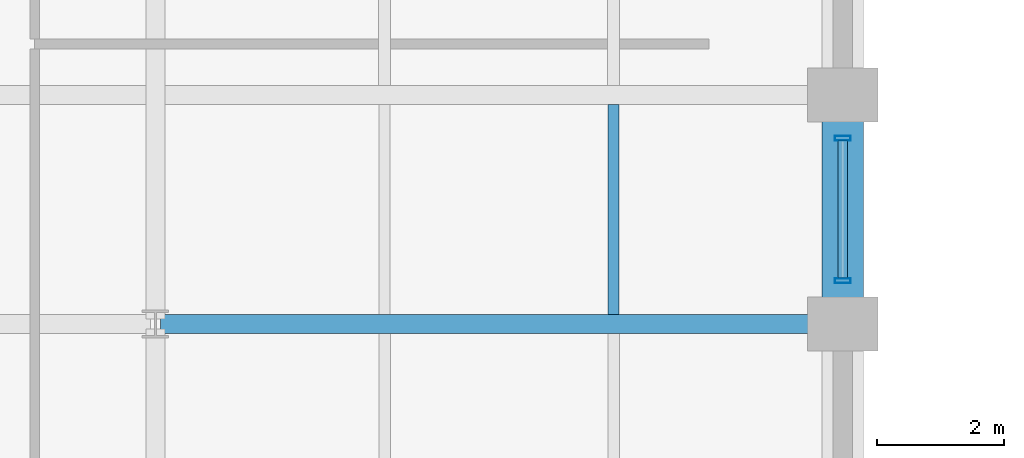
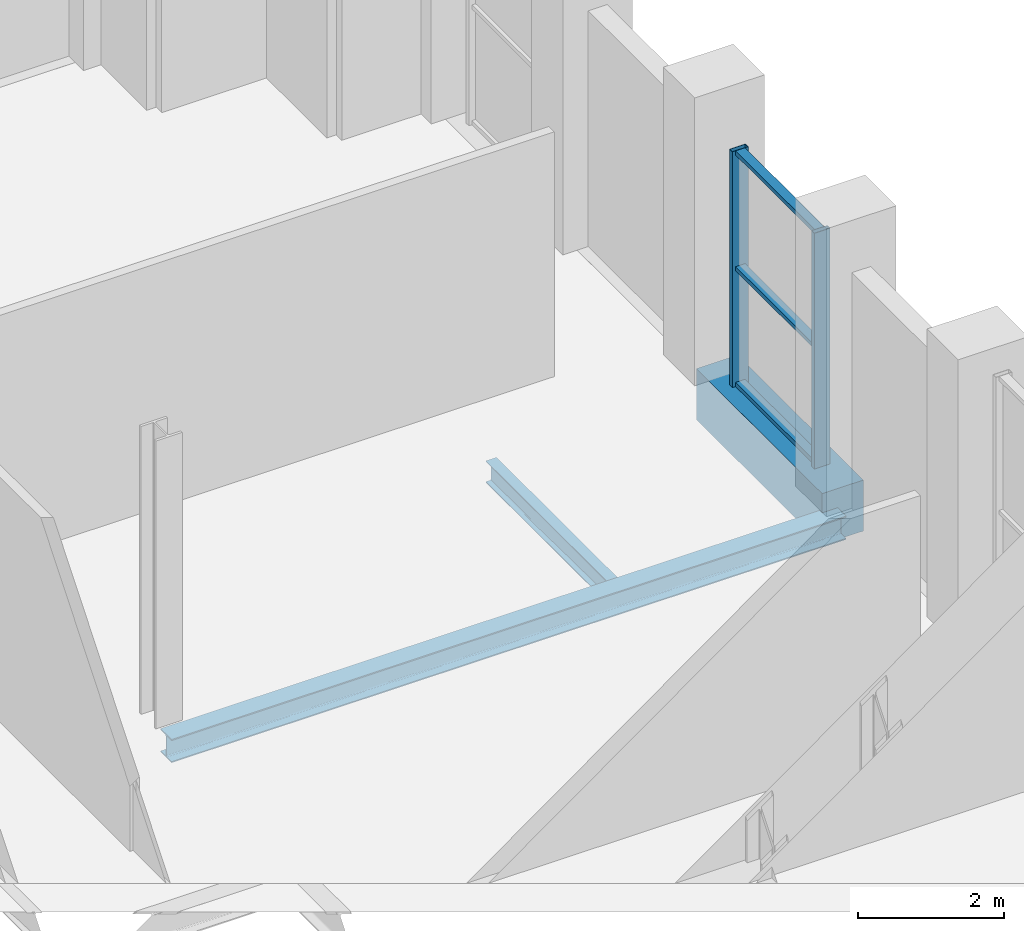
# One storey, part 8 of 22: 5 members, 3 beams, 1 element without a shape of its own.
"""IFC4 building model written with IfcOpenShell, lengths in metres."""

from ifc_helpers import new_model, si_unit, direction, frame, origin, origin_2d, place, context, subcontext, project, spatial, rectangle, hollow_rectangle, i_section, extrude, material, layer, layer_set, material_profile, profile_set, type_object, element, aggregate, save


model = new_model("IFC4")

# Units and contexts
model_context = context("Model", 3, precision=1e-05, world=origin(), true_north=direction((0.0, 1.0)))
body_context = subcontext(model_context, "Body", "Model", "MODEL_VIEW")
ifc_project = project(units=[si_unit("LENGTHUNIT", "METRE"), si_unit("AREAUNIT", "SQUARE_METRE"), si_unit("VOLUMEUNIT", "CUBIC_METRE"), si_unit("PLANEANGLEUNIT", "RADIAN"), si_unit("MASSUNIT", "GRAM", prefix="KILO")], contexts=[model_context])

# Site, building, storey
site_placement = place(None, origin())
site = spatial("IfcSite", under=ifc_project, at=site_placement, CompositionType="ELEMENT")
building_placement = place(site_placement, origin())
building = spatial("IfcBuilding", under=site, at=building_placement, Name="Solnavia Interchange Tower", CompositionType="ELEMENT")
storey_placement = place(building_placement, frame((0.0, 0.0, 115.199951171875)))
storey = spatial("IfcBuildingStorey", under=building, at=storey_placement, Name="L28", CompositionType="ELEMENT", Elevation=115.199951171875)

# Beams
ifc_material_1 = material(Name="Steel S355", Category="steel")
ifc_material_profile_1 = material_profile(ifc_material_1, i_section(OverallWidth=0.169921875, OverallDepth=0.360107421875, WebThickness=0.008056640625, FlangeThickness=0.0126953125, FilletRadius=0.01806640625, at=origin_2d()), Name="IPE 360")
ifc_profile_set_1 = profile_set([ifc_material_profile_1], Name="Steel S355")
beam_type_1 = type_object("IfcBeamType", Name="Beam-Joist-IPE360", PredefinedType="JOIST", material=ifc_profile_set_1)
beam_1_placement = place(storey_placement, frame((25.199951171875, 32.550048828125, -0.5), z_axis=(0.0, 1.0, 0.0), x_axis=(-1.0, 0.0, 0.0)))
element("IfcBeam", 1, at=beam_1_placement, inside=storey, type_object=beam_type_1, Name="JST-L28-N27 North wing secondary joist", PredefinedType="JOIST", context=body_context, shape_type="SweptSolid", body=[
    extrude(i_section(OverallWidth=0.169921875, OverallDepth=0.360107421875, WebThickness=0.008056640625, FlangeThickness=0.0126953125, FilletRadius=0.01806640625, at=origin_2d()), origin(), (0.0, 0.0, 1.0), 3.300048828125),
])
ifc_material_profile_2 = material_profile(ifc_material_1, i_section(OverallWidth=0.300048828125, OverallDepth=0.389892578125, WebThickness=0.010986328125, FlangeThickness=0.01904296875, FilletRadius=0.027099609375, at=origin_2d()), Name="HEA 400")
ifc_profile_set_2 = profile_set([ifc_material_profile_2], Name="Steel S355")
beam_type_2 = type_object("IfcBeamType", Name="Beam-Primary-HEA400", PredefinedType="BEAM", material=ifc_profile_set_2)
beam_2_placement = place(storey_placement, frame((18.080078125, 32.39990234375, -0.514892578125), z_axis=(1.0, 0.0, 0.0), x_axis=(0.0, 1.0, 0.0)))
element("IfcBeam", 2, at=beam_2_placement, inside=storey, type_object=beam_type_2, Name="GRD-L28-NW16 North wing primary floor girder", PredefinedType="BEAM", context=body_context, shape_type="SweptSolid", body=[
    extrude(i_section(OverallWidth=0.300048828125, OverallDepth=0.389892578125, WebThickness=0.010986328125, FlangeThickness=0.01904296875, FilletRadius=0.027099609375, at=origin_2d()), origin(), (0.0, 0.0, 1.0), 10.639892578125),
])
ifc_material_2 = material(Name="Concrete C50/60", Category="concrete")
ifc_material_profile_3 = material_profile(ifc_material_2, rectangle(XDim=0.64990234375, YDim=0.85009765625, at=origin_2d()), Name="RC 650x850")
ifc_profile_set_3 = profile_set([ifc_material_profile_3], Name="Concrete C50/60")
beam_type_3 = type_object("IfcBeamType", Name="Beam-Spandrel-RC650x850", PredefinedType="SPANDREL", material=ifc_profile_set_3)
beam_3_placement = place(storey_placement, frame((28.800048828125, 32.47998046875, -0.425048828125), z_axis=(0.0, 1.0, 0.0), x_axis=(-1.0, 0.0, 0.0)))
element("IfcBeam", 3, at=beam_3_placement, inside=storey, type_object=beam_type_3, Name="SPB-L28-28 Framed-tube perimeter spandrel beam", PredefinedType="SPANDREL", context=body_context, shape_type="SweptSolid", body=[
    extrude(rectangle(XDim=0.64990234375, YDim=0.85009765625, at=origin_2d()), origin(), (0.0, 0.0, 1.0), 3.43994140625),
])

# Curtain wall, members
ifc_material_3 = material(Name="Aluminium Alloy 6063-T6", Category="aluminium")
ifc_layer = layer(ifc_material_3, 0.27001953125)
ifc_layer_set = layer_set([ifc_layer], Name="Aluminium Alloy 6063-T6")
curtain_wall_type = type_object("IfcCurtainWallType", Name="CurtainWall-SkyLobby-CTW4", PredefinedType="NOTDEFINED", material=ifc_layer_set)
curtain_wall_placement = place(storey_placement, origin())
curtain_wall = element("IfcCurtainWall", 4, at=curtain_wall_placement, inside=storey, type_object=curtain_wall_type, Name="CTW-L28-S34 CTW-4 curtain wall", PredefinedType="NOTDEFINED")
ifc_material_profile_4 = material_profile(ifc_material_3, hollow_rectangle(XDim=0.080078125, YDim=0.25, WallThickness=0.006103515625, at=origin_2d()), Name="ALU 250x80x6")
ifc_profile_set_4 = profile_set([ifc_material_profile_4], Name="Aluminium Alloy 6063-T6")
member_type_1 = type_object("IfcMemberType", Name="CW-Mullion-CWM-4", PredefinedType="MULLION", material=ifc_profile_set_4)
member_1_placement = place(storey_placement, frame((28.800048828125, 33.080078125, 0.0), z_axis=(0.0, 0.0, 1.0), x_axis=(0.0, 1.0, 0.0)))
member_1 = element("IfcMember", 5, at=member_1_placement, type_object=member_type_1, Name="CTW-4 mullion 1", PredefinedType="MULLION", context=body_context, shape_type="SweptSolid", body=[
    extrude(hollow_rectangle(XDim=0.080078125, YDim=0.25, WallThickness=0.006103515625, at=origin_2d()), origin(), (0.0, 0.0, 1.0), 3.929931640625),
])
member_2_placement = place(storey_placement, frame((28.800048828125, 35.320068359375, 0.0), z_axis=(0.0, 0.0, 1.0), x_axis=(0.0, 1.0, 0.0)))
member_2 = element("IfcMember", 6, at=member_2_placement, type_object=member_type_1, Name="CTW-4 mullion 2", PredefinedType="MULLION", context=body_context, shape_type="SweptSolid", body=[
    extrude(hollow_rectangle(XDim=0.080078125, YDim=0.25, WallThickness=0.006103515625, at=origin_2d()), origin(), (0.0, 0.0, 1.0), 3.929931640625),
])
ifc_material_profile_5 = material_profile(ifc_material_3, hollow_rectangle(XDim=0.070068359375, YDim=0.14990234375, WallThickness=0.00439453125, at=origin_2d()), Name="ALU 150x70x4.5")
ifc_profile_set_5 = profile_set([ifc_material_profile_5], Name="Aluminium Alloy 6063-T6")
member_type_2 = type_object("IfcMemberType", Name="CW-Transom-CWT-4", PredefinedType="USERDEFINED", material=ifc_profile_set_5)
member_3_placement = place(storey_placement, frame((28.800048828125, 33.1201171875, 0.03515625), z_axis=(0.0, 1.0, 0.0), x_axis=(0.0, 0.0, 1.0)))
member_3 = element("IfcMember", 7, at=member_3_placement, type_object=member_type_2, Name="CTW-4 transom 1.1", ObjectType="TRANSOM", PredefinedType="USERDEFINED", context=body_context, shape_type="SweptSolid", body=[
    extrude(hollow_rectangle(XDim=0.070068359375, YDim=0.14990234375, WallThickness=0.00439453125, at=origin_2d()), origin(), (0.0, 0.0, 1.0), 2.159912109375),
])
member_4_placement = place(storey_placement, frame((28.800048828125, 33.1201171875, 1.965087890625), z_axis=(0.0, 1.0, 0.0), x_axis=(0.0, 0.0, 1.0)))
member_4 = element("IfcMember", 8, at=member_4_placement, type_object=member_type_2, Name="CTW-4 transom 1.2", ObjectType="TRANSOM", PredefinedType="USERDEFINED", context=body_context, shape_type="SweptSolid", body=[
    extrude(hollow_rectangle(XDim=0.070068359375, YDim=0.14990234375, WallThickness=0.00439453125, at=origin_2d()), origin(), (0.0, 0.0, 1.0), 2.159912109375),
])
member_5_placement = place(storey_placement, frame((28.800048828125, 33.1201171875, 3.89501953125), z_axis=(0.0, 1.0, 0.0), x_axis=(0.0, 0.0, 1.0)))
member_5 = element("IfcMember", 9, at=member_5_placement, type_object=member_type_2, Name="CTW-4 transom 1.3", ObjectType="TRANSOM", PredefinedType="USERDEFINED", context=body_context, shape_type="SweptSolid", body=[
    extrude(hollow_rectangle(XDim=0.070068359375, YDim=0.14990234375, WallThickness=0.00439453125, at=origin_2d()), origin(), (0.0, 0.0, 1.0), 2.159912109375),
])
aggregate(curtain_wall, [member_1, member_2, member_3, member_4, member_5])

save(model, "model.ifc")
